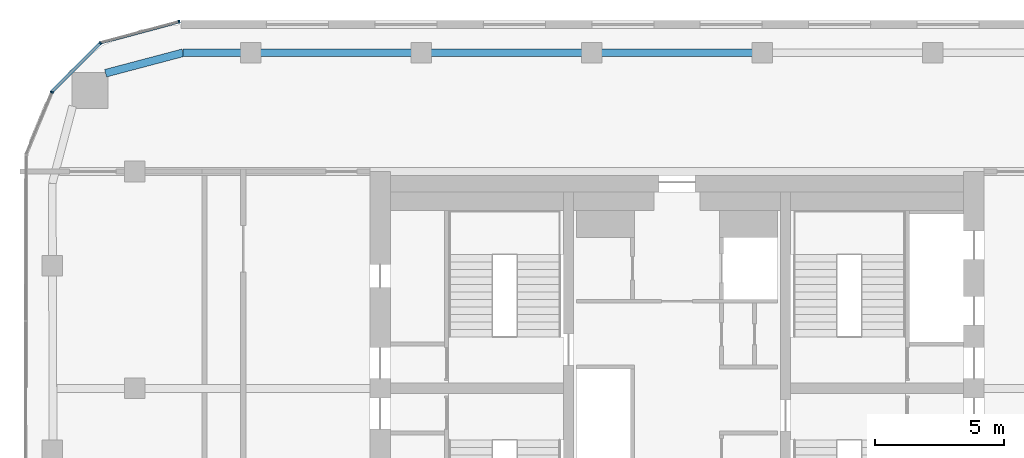
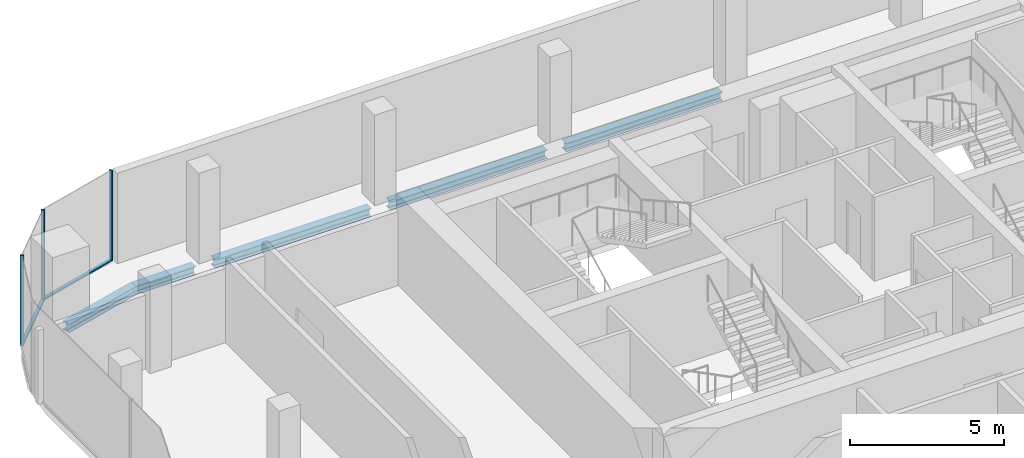
# One storey, part 10 of 20: 5 beams, 5 members, 3 elements without a shape of their own.
"""IFC4 building model written with IfcOpenShell, lengths in metres."""

from ifc_helpers import new_model, si_unit, direction, frame, origin, origin_2d, place, context, subcontext, project, spatial, rectangle, i_section, extrude, material, layer, layer_set, material_profile, profile_set, type_object, element, aggregate, save


model = new_model("IFC4")

# Units and contexts
model_context = context("Model", 3, precision=1e-05, world=origin(), true_north=direction((0.0, 1.0)))
body_context = subcontext(model_context, "Body", "Model", "MODEL_VIEW")
ifc_project = project(units=[si_unit("LENGTHUNIT", "METRE"), si_unit("AREAUNIT", "SQUARE_METRE"), si_unit("VOLUMEUNIT", "CUBIC_METRE"), si_unit("PLANEANGLEUNIT", "RADIAN"), si_unit("MASSUNIT", "GRAM", prefix="KILO")], contexts=[model_context])

# Site, building, storey
site_placement = place(None, origin())
site = spatial("IfcSite", under=ifc_project, at=site_placement, CompositionType="ELEMENT")
building_placement = place(site_placement, origin())
building = spatial("IfcBuilding", under=site, at=building_placement, Name="Marenta Gate Hotel Tower", CompositionType="ELEMENT")
storey_placement = place(building_placement, frame((0.0, 0.0, 216.5)))
storey = spatial("IfcBuildingStorey", under=building, at=storey_placement, Name="L50", CompositionType="ELEMENT", Elevation=216.5)

# Beams
ifc_material_1 = material(Name="Steel S355", Category="steel")
ifc_material_profile_1 = material_profile(ifc_material_1, i_section(OverallWidth=0.300048828125, OverallDepth=0.340087890625, WebThickness=0.011962890625, FlangeThickness=0.021484375, FilletRadius=0.027099609375, at=origin_2d()), Name="HEB 340")
ifc_profile_set_1 = profile_set([ifc_material_profile_1], Name="Steel S355")
beam_type = type_object("IfcBeamType", Name="Edge beam HEB 340", PredefinedType="SPANDREL", material=ifc_profile_set_1)
beam_1_placement = place(storey_placement, frame((-22.132080078125, 20.607177734375, -0.429931640625), z_axis=(0.9667647815, 0.25566747398, 0.0), x_axis=(-0.25566747398, 0.9667647815, 0.0)))
element("IfcBeam", 1, at=beam_1_placement, inside=storey, type_object=beam_type, Name="L50-EB-12", PredefinedType="SPANDREL", context=body_context, shape_type="SweptSolid", body=[
    extrude(i_section(OverallWidth=0.300048828125, OverallDepth=0.340087890625, WebThickness=0.011962890625, FlangeThickness=0.021484375, FilletRadius=0.027099609375, at=origin_2d()), origin(), (0.0, 0.0, 1.0), 3.1005859375),
])
beam_2_placement = place(storey_placement, frame((-19.134521484375, 21.39990234375, -0.429931640625), z_axis=(1.0, 0.0, 0.0), x_axis=(0.0, 1.0, 0.0)))
element("IfcBeam", 2, at=beam_2_placement, inside=storey, type_object=beam_type, Name="L50-EB-13", PredefinedType="SPANDREL", context=body_context, shape_type="SweptSolid", body=[
    extrude(i_section(OverallWidth=0.300048828125, OverallDepth=0.340087890625, WebThickness=0.011962890625, FlangeThickness=0.021484375, FilletRadius=0.027099609375, at=origin_2d()), origin(), (0.0, 0.0, 1.0), 2.267578125),
])
for number, where, z_axis, x_axis, name in (
    (3, (-16.14697265625, 21.39990234375, -0.429931640625), (1.0, 0.0, 0.0), (0.0, 1.0, 0.0), "L50-EB-14"),
    (4, (-9.544189453125, 21.39990234375, -0.429931640625), (1.0, 0.0, 0.0), (0.0, 1.0, 0.0), "L50-EB-15"),
    (5, (-2.94140625, 21.39990234375, -0.429931640625), (1.0, 0.0, 0.0), (0.0, 1.0, 0.0), "L50-EB-16"),
):
    element("IfcBeam", number, at=place(storey_placement, frame(where, z_axis=z_axis, x_axis=x_axis)), inside=storey, type_object=beam_type, Name=name, PredefinedType="SPANDREL", context=body_context, shape_type="SweptSolid", body=[
        extrude(i_section(OverallWidth=0.300048828125, OverallDepth=0.340087890625, WebThickness=0.011962890625, FlangeThickness=0.021484375, FilletRadius=0.027099609375, at=origin_2d()), origin(), (0.0, 0.0, 1.0), 5.8828125),
    ])

# Curtain wall, member
ifc_material_2 = material(Name="Tinted insulated glass in bronze anodised frame", Category="glass")
ifc_layer = layer(ifc_material_2, 0.1201171875)
ifc_layer_set = layer_set([ifc_layer], Name="Tinted insulated glass in bronze anodised frame")
curtain_wall_type = type_object("IfcCurtainWallType", Name="Tower unitised curtain wall CW1", PredefinedType="NOTDEFINED", material=ifc_layer_set)
curtain_wall_1_placement = place(storey_placement, origin())
curtain_wall_1 = element("IfcCurtainWall", 6, at=curtain_wall_1_placement, inside=storey, type_object=curtain_wall_type, Name="CW1 run G00", PredefinedType="NOTDEFINED")
ifc_material_3 = material(Name="Bronze anodised aluminium", Category="aluminium")
ifc_material_profile_2 = material_profile(ifc_material_3, rectangle(XDim=0.1201171875, YDim=0.06005859375, at=origin_2d()), Name="Mullion CW1 60x120 bronze anodised aluminium")
ifc_profile_set_2 = profile_set([ifc_material_profile_2], Name="Bronze anodised aluminium")
member_type_1 = type_object("IfcMemberType", Name="Mullion CW1 60x120 bronze anodised aluminium", PredefinedType="MULLION", material=ifc_profile_set_2)
member_1_placement = place(storey_placement, frame((-19.285400390625, 22.603271484375, 0.0), z_axis=(0.0, 0.0, 1.0), x_axis=(0.258801379183, -0.965930559685, 0.0)))
member_1 = element("IfcMember", 7, at=member_1_placement, type_object=member_type_1, Name="CW1 mullion 1", PredefinedType="MULLION", context=body_context, shape_type="SweptSolid", body=[
    extrude(rectangle(XDim=0.1201171875, YDim=0.06005859375, at=origin_2d()), origin(), (0.0, 0.0, 1.0), 3.60009765625),
])

curtain_wall_2_placement = place(storey_placement, origin())
curtain_wall_2 = element("IfcCurtainWall", 8, at=curtain_wall_2_placement, inside=storey, type_object=curtain_wall_type, Name="CW1 run G01", PredefinedType="NOTDEFINED")
member_2_placement = place(storey_placement, frame((-22.334228515625, 21.77099609375, 0.0), z_axis=(0.0, 0.0, 1.0), x_axis=(0.707106781187, -0.707106781187, 0.0)))
member_2 = element("IfcMember", 9, at=member_2_placement, type_object=member_type_1, Name="CW1 mullion 1", PredefinedType="MULLION", context=body_context, shape_type="SweptSolid", body=[
    extrude(rectangle(XDim=0.1201171875, YDim=0.06005859375, at=origin_2d()), origin(), (0.0, 0.0, 1.0), 3.60009765625),
])

curtain_wall_3_placement = place(storey_placement, origin())
curtain_wall_3 = element("IfcCurtainWall", 10, at=curtain_wall_3_placement, inside=storey, type_object=curtain_wall_type, Name="CW1 run G02", PredefinedType="NOTDEFINED")
member_3_placement = place(storey_placement, frame((-24.215087890625, 19.87353515625, 0.0), z_axis=(0.0, 0.0, 1.0), x_axis=(0.923886433266, -0.382666772044, 0.0)))
member_3 = element("IfcMember", 11, at=member_3_placement, type_object=member_type_1, Name="CW1 mullion 1", PredefinedType="MULLION", context=body_context, shape_type="SweptSolid", body=[
    extrude(rectangle(XDim=0.1201171875, YDim=0.06005859375, at=origin_2d()), origin(), (0.0, 0.0, 1.0), 3.60009765625),
])
aggregate(curtain_wall_3, [member_3])

# Member
ifc_material_4 = material(Name="Bronze anodised aluminium", Category="aluminium")
ifc_material_profile_3 = material_profile(ifc_material_4, rectangle(XDim=0.1201171875, YDim=0.06005859375, at=origin_2d()), Name="Transom CW1 60x120 bronze anodised aluminium")
ifc_profile_set_3 = profile_set([ifc_material_profile_3], Name="Bronze anodised aluminium")
member_type_2 = type_object("IfcMemberType", Name="Transom CW1 60x120 bronze anodised aluminium", PredefinedType="USERDEFINED", material=ifc_profile_set_3)
member_4_placement = place(storey_placement, frame((-19.314453125, 22.595458984375, 0.030029296875), z_axis=(-0.965924882171, -0.258822568574, 0.0), x_axis=(0.258822568574, -0.965924882171, 0.0)))
member_4 = element("IfcMember", 12, at=member_4_placement, type_object=member_type_2, Name="CW1 transom 1.1", ObjectType="TRANSOM", PredefinedType="USERDEFINED", context=body_context, shape_type="SweptSolid", body=[
    extrude(rectangle(XDim=0.1201171875, YDim=0.06005859375, at=origin_2d()), origin(), (0.0, 0.0, 1.0), 3.104248046875),
])

aggregate(curtain_wall_1, [member_1, member_4])

member_5_placement = place(storey_placement, frame((-22.355224609375, 21.749755859375, 0.030029296875), z_axis=(-0.707106781187, -0.707106781187, 0.0), x_axis=(0.707106781187, -0.707106781187, 0.0)))
member_5 = element("IfcMember", 13, at=member_5_placement, type_object=member_type_2, Name="CW1 transom 1.1", ObjectType="TRANSOM", PredefinedType="USERDEFINED", context=body_context, shape_type="SweptSolid", body=[
    extrude(rectangle(XDim=0.1201171875, YDim=0.06005859375, at=origin_2d()), origin(), (0.0, 0.0, 1.0), 2.614013671875),
])

aggregate(curtain_wall_2, [member_2, member_5])

save(model, "model.ifc")
